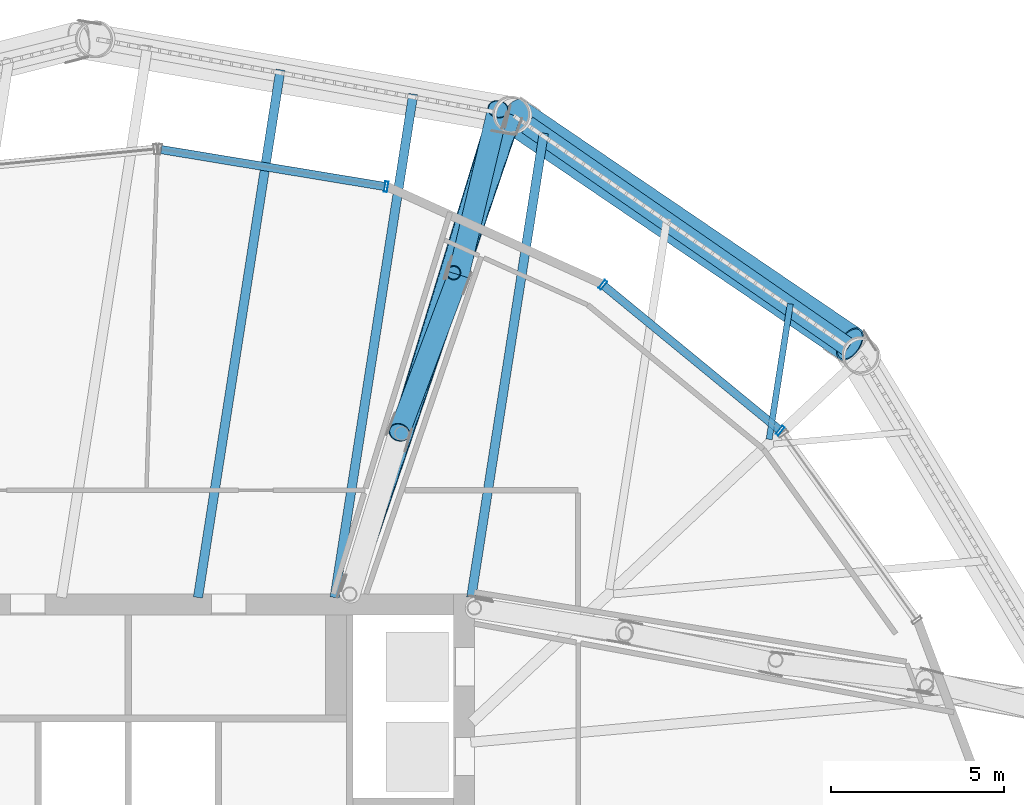
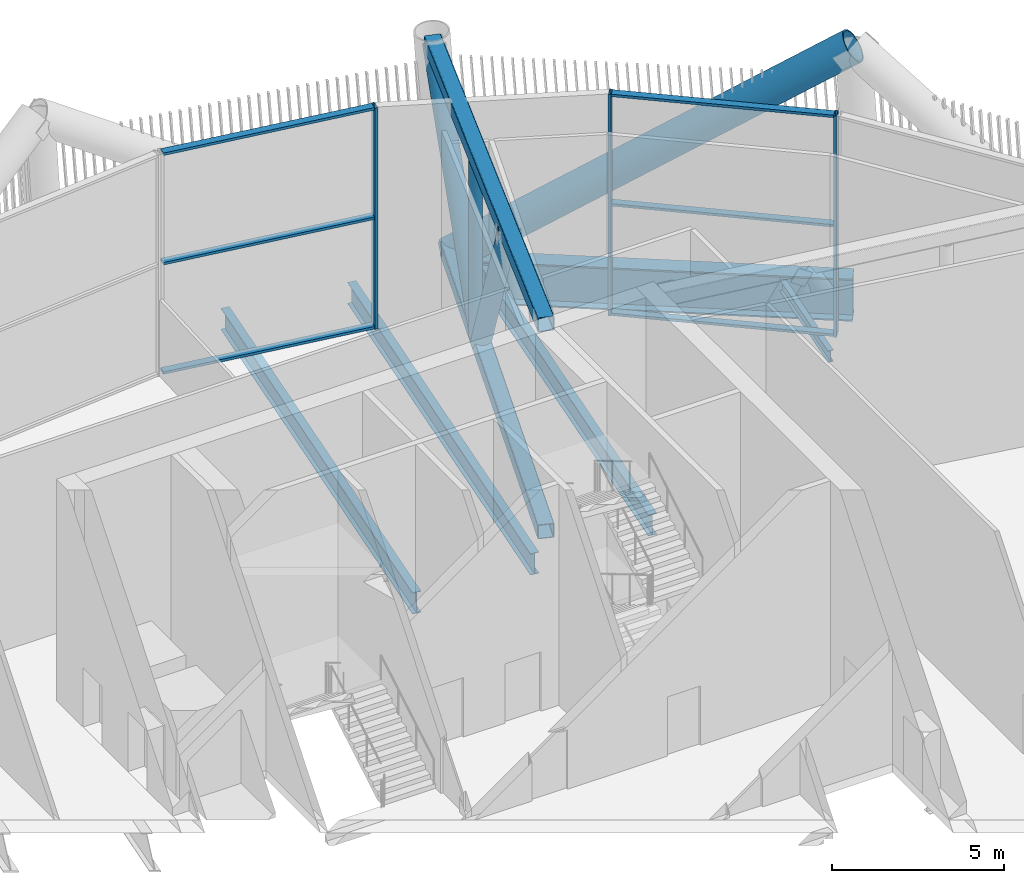
# One storey, part 25 of 55: 15 members, 5 beams, 2 elements without a shape of their own.
"""IFC4 building model written with IfcOpenShell, lengths in metres."""

import ifcopenshell
import ifcopenshell.guid

model = None  # the IFC model being written
_history = None  # IfcOwnerHistory: only IFC2X3 demands one
_inside = {}  # id of a spatial element -> (the spatial element, [elements in it])
_under = {}  # id of a project, library or spatial element -> (it, [spatial elements below it])
_declared = {}  # id of a project -> (the project, [libraries it declares])
_typed = {}  # id of a type object -> (the type object, [elements of that type])
_made_of = {}  # id of a material, layer set ... -> (it, [elements and type objects made of it])


def new_model(schema):
    """Start an empty IFC model of exactly this schema.

    Asked for "IFC4X3", IfcOpenShell would pick the latest addendum, in which some entities
    have other attributes; the version numbers below select the first issue.
    IFC2X3 requires an IfcOwnerHistory on every rooted entity: one is made here for all.
    """
    global model, _history
    if schema == "IFC4X3":
        model = ifcopenshell.file(schema_version=(4, 3, 0, 0))
    else:
        model = ifcopenshell.file(schema=schema)
    _inside.clear()
    _under.clear()
    _declared.clear()
    _typed.clear()
    _made_of.clear()
    _history = None
    if model.schema == "IFC2X3":
        org = make("IfcOrganization", Name="unknown")
        user = make(
            "IfcPersonAndOrganization",
            ThePerson=make("IfcPerson", FamilyName="unknown"),
            TheOrganization=org,
        )
        app = make(
            "IfcApplication",
            ApplicationDeveloper=org,
            Version="unknown",
            ApplicationFullName="unknown",
            ApplicationIdentifier="unknown",
        )
        _history = make(
            "IfcOwnerHistory",
            OwningUser=user,
            OwningApplication=app,
            ChangeAction="ADDED",
            CreationDate=0,
        )
    return model


def make(cls, **values):
    """One entity of the class cls with the attributes given. An attribute that is None is left unset."""
    return model.create_entity(
        cls, **{name: value for name, value in values.items() if value is not None}
    )


def rooted(cls, **values):
    """An entity with a GlobalId (a new one), such as an element, a storey or a relation."""
    return make(cls, GlobalId=ifcopenshell.guid.new(), OwnerHistory=_history, **values)


def si_unit(unit_type, name, prefix=None):
    """IfcSIUnit, for example si_unit("LENGTHUNIT", "METRE", prefix="MILLI")."""
    return make("IfcSIUnit", UnitType=unit_type, Prefix=prefix, Name=name)


def assignment(units):
    """IfcUnitAssignment: the units of a project."""
    return None if units is None else make("IfcUnitAssignment", Units=units)


def point(xyz):
    """IfcCartesianPoint."""
    return None if xyz is None else make("IfcCartesianPoint", Coordinates=xyz)


def direction(xyz):
    """IfcDirection."""
    return None if xyz is None else make("IfcDirection", DirectionRatios=xyz)


def frame(location, z_axis=None, x_axis=None):
    """IfcAxis2Placement3D, a coordinate frame: its origin and axes. An axis left out is left unset."""
    return make(
        "IfcAxis2Placement3D",
        Location=point(location),
        Axis=direction(z_axis),
        RefDirection=direction(x_axis),
    )


def frame_2d(location, x_axis=None):
    """IfcAxis2Placement2D, a coordinate frame in the plane: its origin and x axis."""
    return make(
        "IfcAxis2Placement2D", Location=point(location), RefDirection=direction(x_axis)
    )


def origin():
    """The frame at (0, 0, 0) with its axes left unset."""
    return frame((0.0, 0.0, 0.0))


def origin_2d():
    """The frame at (0, 0) in the plane with its x axis left unset."""
    return frame_2d((0.0, 0.0))


def place(relative_to, where):
    """IfcLocalPlacement: puts the frame where relative to a parent placement (None: the world)."""
    return make(
        "IfcLocalPlacement", PlacementRelTo=relative_to, RelativePlacement=where
    )


def context(
    kind, dimensions, precision=None, world=None, true_north=None, identifier=None
):
    """IfcGeometricRepresentationContext, for example the 3D "Model" context."""
    return make(
        "IfcGeometricRepresentationContext",
        ContextIdentifier=identifier,
        ContextType=kind,
        CoordinateSpaceDimension=dimensions,
        Precision=precision,
        WorldCoordinateSystem=world,
        TrueNorth=true_north,
    )


def subcontext(parent, identifier, kind, view, scale=None):
    """IfcGeometricRepresentationSubContext, for example "Body" below "Model"."""
    return make(
        "IfcGeometricRepresentationSubContext",
        ContextIdentifier=identifier,
        ContextType=kind,
        ParentContext=parent,
        TargetScale=scale,
        TargetView=view,
    )


def project(units=None, contexts=None):
    """IfcProject with its units and contexts."""
    return rooted(
        "IfcProject",
        Name="project",
        RepresentationContexts=contexts,
        UnitsInContext=assignment(units),
    )


def spatial(cls, under=None, at=None, **own):
    """A site, building, storey or space (cls), placed at a placement, below another one or the project."""
    s = rooted(cls, ObjectPlacement=at, **own)
    if under is not None:
        _under.setdefault(under.id(), (under, []))[1].append(s)
    return s


def profile(cls, at=None, kind="AREA", **sizes):
    """A parametric profile (cls). Its sizes go by their IFC names, for example OverallWidth=200.0."""
    return make(cls, ProfileType=kind, Position=at, **sizes)


def hollow_rectangle(**sizes):
    """IfcRectangleHollowProfileDef."""
    return profile("IfcRectangleHollowProfileDef", **sizes)


def hollow_circle(**sizes):
    """IfcCircleHollowProfileDef."""
    return profile("IfcCircleHollowProfileDef", **sizes)


def i_section(**sizes):
    """IfcIShapeProfileDef."""
    return profile("IfcIShapeProfileDef", **sizes)


def extrude(swept, where, along, depth):
    """IfcExtrudedAreaSolid: the profile swept, set in the frame where, extruded along a direction by depth."""
    return make(
        "IfcExtrudedAreaSolid",
        SweptArea=swept,
        Position=where,
        ExtrudedDirection=direction(along),
        Depth=depth,
    )


def shape(context_of_items, identifier, shape_type, items):
    """IfcShapeRepresentation: the items that make up one representation, for example the "Body"."""
    return make(
        "IfcShapeRepresentation",
        ContextOfItems=context_of_items,
        RepresentationIdentifier=identifier,
        RepresentationType=shape_type,
        Items=items,
    )


def material(Name=None, Category=None):
    """IfcMaterial."""
    return make("IfcMaterial", Name=Name, Category=Category)


def layer(
    of_material, thickness, ventilated=None, Name=None, Category=None, Priority=None
):
    """IfcMaterialLayer: one layer of a wall or slab, of a material (None: an air gap)."""
    return make(
        "IfcMaterialLayer",
        Material=of_material,
        LayerThickness=thickness,
        IsVentilated=ventilated,
        Name=Name,
        Category=Category,
        Priority=Priority,
    )


def layer_set(layers, Name=None):
    """IfcMaterialLayerSet."""
    return make("IfcMaterialLayerSet", MaterialLayers=layers, LayerSetName=Name)


def material_profile(
    of_material, cross_section, Name=None, Category=None, Priority=None
):
    """IfcMaterialProfile: a cross section and its material."""
    return make(
        "IfcMaterialProfile",
        Name=Name,
        Material=of_material,
        Profile=cross_section,
        Priority=Priority,
        Category=Category,
    )


def profile_set(profiles, Name=None, composite=None):
    """IfcMaterialProfileSet."""
    return make(
        "IfcMaterialProfileSet",
        Name=Name,
        MaterialProfiles=profiles,
        CompositeProfile=composite,
    )


def made_of(thing, what):
    """Note that an element or type object is made of a material, layer set ...; save() writes the relation."""
    if what is not None:
        _made_of.setdefault(what.id(), (what, []))[1].append(thing)
    return thing


def type_object(cls, material=None, **own):
    """A type object (cls), such as IfcWallType, which elements share."""
    return made_of(rooted(cls, **own), material)


def element(
    cls,
    number,
    at=None,
    inside=None,
    cuts=None,
    type_object=None,
    material=None,
    context=None,
    identifier="Body",
    shape_type=None,
    held_by="IfcProductDefinitionShape",
    body=None,
    shapes=None,
    **own,
):
    """One element of the class cls, such as IfcWall. Its Tag is "e" and its number.

    at: its placement. inside: the storey or other place that contains it. cuts: it is an
    opening in that element (IfcRelVoidsElement). A single representation is given by context,
    identifier, shape_type and body (its items); several are given by shapes. held_by: the class
    of the entity that holds the representations. save() writes the other relations.
    """
    e = rooted(cls, Tag="e%d" % number, ObjectPlacement=at, **own)
    if body is not None:
        shapes = [shape(context, identifier, shape_type, body)]
    if shapes is not None:
        e.Representation = make(held_by, Representations=shapes)
    if inside is not None:
        _inside.setdefault(inside.id(), (inside, []))[1].append(e)
    if cuts is not None:
        rooted(
            "IfcRelVoidsElement", RelatingBuildingElement=cuts, RelatedOpeningElement=e
        )
    if type_object is not None:
        _typed.setdefault(type_object.id(), (type_object, []))[1].append(e)
    return made_of(e, material)


def aggregate(whole, parts):
    """IfcRelAggregates: a whole, such as a stair, and the parts it consists of."""
    return rooted("IfcRelAggregates", RelatingObject=whole, RelatedObjects=parts)


def save(model, path):
    """Write the relations noted so far, then the file.

    IfcRelAggregates (storeys below a building ...), IfcRelContainedInSpatialStructure (elements
    in a storey), IfcRelDefinesByType, IfcRelAssociatesMaterial and IfcRelDeclares: one each for
    every whole, place, type object, material and project.
    """
    for whole, parts in _under.values():
        aggregate(whole, parts)
    for where, things in _inside.values():
        rooted(
            "IfcRelContainedInSpatialStructure",
            RelatedElements=things,
            RelatingStructure=where,
        )
    for kind, things in _typed.values():
        rooted("IfcRelDefinesByType", RelatedObjects=things, RelatingType=kind)
    for what, things in _made_of.values():
        rooted("IfcRelAssociatesMaterial", RelatedObjects=things, RelatingMaterial=what)
    for by, libraries in _declared.values():
        rooted("IfcRelDeclares", RelatingContext=by, RelatedDefinitions=libraries)
    model.write(path)


model = new_model("IFC4")

# Units and contexts
model_context = context("Model", 3, precision=1e-05, world=origin(), true_north=direction((0.0, 1.0)))
body_context = subcontext(model_context, "Body", "Model", "MODEL_VIEW")
ifc_project = project(units=[si_unit("LENGTHUNIT", "METRE"), si_unit("AREAUNIT", "SQUARE_METRE"), si_unit("VOLUMEUNIT", "CUBIC_METRE"), si_unit("PLANEANGLEUNIT", "RADIAN"), si_unit("MASSUNIT", "GRAM", prefix="KILO")], contexts=[model_context])

# Site, building, storey
site_placement = place(None, origin())
site = spatial("IfcSite", under=ifc_project, at=site_placement, CompositionType="ELEMENT")
building_placement = place(site_placement, origin())
building = spatial("IfcBuilding", under=site, at=building_placement, Name="Tarsis Ring Headquarters", CompositionType="ELEMENT")
storey_placement = place(building_placement, frame((0.0, 0.0, 247.199951171875)))
storey = spatial("IfcBuildingStorey", under=building, at=storey_placement, Name="L58", CompositionType="ELEMENT", Elevation=247.199951171875)

# Curtain wall, members
ifc_material_1 = material(Name="Aluminium curtain wall", Category="aluminium")
ifc_layer = layer(ifc_material_1, 0.300048828125)
ifc_layer_set = layer_set([ifc_layer], Name="Curtain wall upper sky lobby")
curtain_wall_type = type_object("IfcCurtainWallType", Name="Curtain wall upper sky lobby", PredefinedType="NOTDEFINED", material=ifc_layer_set)
curtain_wall_1_placement = place(storey_placement, origin())
curtain_wall_1 = element("IfcCurtainWall", 1, at=curtain_wall_1_placement, inside=storey, type_object=curtain_wall_type, Name="Curtain wall L58-24", PredefinedType="NOTDEFINED")
ifc_material_2 = material(Name="Aluminium mullion", Category="aluminium")
ifc_material_profile_1 = material_profile(ifc_material_2, hollow_rectangle(XDim=0.300048828125, YDim=0.090087890625, WallThickness=0.0048828125, at=origin_2d()), Name="RHS 300x90x5")
ifc_profile_set_1 = profile_set([ifc_material_profile_1], Name="Aluminium mullion")
member_type_1 = type_object("IfcMemberType", Name="Curtain wall mullion upper sky lobby RHS 300x90x5", PredefinedType="MULLION", material=ifc_profile_set_1)
member_1_placement = place(storey_placement, frame((18.83837890625, 17.724609375, 0.0), z_axis=(0.0, 0.0, 1.0), x_axis=(-0.634460710658, -0.772955112947, 0.0)))
member_1 = element("IfcMember", 2, at=member_1_placement, type_object=member_type_1, Name="CW-U mullion 1", PredefinedType="MULLION", context=body_context, shape_type="SweptSolid", body=[
    extrude(hollow_rectangle(XDim=0.300048828125, YDim=0.090087890625, WallThickness=0.0048828125, at=origin_2d()), origin(), (0.0, 0.0, 1.0), 7.840087890625),
])
member_2_placement = place(storey_placement, frame((13.712646484375, 21.931884765625, 0.0), z_axis=(0.0, 0.0, 1.0), x_axis=(-0.634460710658, -0.772955112947, 0.0)))
member_2 = element("IfcMember", 3, at=member_2_placement, type_object=member_type_1, Name="CW-U mullion 2", PredefinedType="MULLION", context=body_context, shape_type="SweptSolid", body=[
    extrude(hollow_rectangle(XDim=0.300048828125, YDim=0.090087890625, WallThickness=0.0048828125, at=origin_2d()), origin(), (0.0, 0.0, 1.0), 7.840087890625),
])

# Curtain wall, member
curtain_wall_2_placement = place(storey_placement, origin())
curtain_wall_2 = element("IfcCurtainWall", 4, at=curtain_wall_2_placement, inside=storey, type_object=curtain_wall_type, Name="Curtain wall L58-26", PredefinedType="NOTDEFINED")
member_3_placement = place(storey_placement, frame((7.452392578125, 24.76904296875, 0.0), z_axis=(0.0, 0.0, 1.0), x_axis=(-0.162981380647, -0.986629144898, 0.0)))
member_3 = element("IfcMember", 5, at=member_3_placement, type_object=member_type_1, Name="CW-U mullion 1", PredefinedType="MULLION", context=body_context, shape_type="SweptSolid", body=[
    extrude(hollow_rectangle(XDim=0.300048828125, YDim=0.090087890625, WallThickness=0.0048828125, at=origin_2d()), origin(), (0.0, 0.0, 1.0), 7.840087890625),
])

# Member
ifc_material_3 = material(Name="Aluminium transom", Category="aluminium")
ifc_material_profile_2 = material_profile(ifc_material_3, hollow_rectangle(XDim=0.239990234375, YDim=0.090087890625, WallThickness=0.0048828125, at=origin_2d()), Name="RHS 240x90x5")
ifc_profile_set_2 = profile_set([ifc_material_profile_2], Name="Aluminium transom")
member_type_2 = type_object("IfcMemberType", Name="Curtain wall transom upper sky lobby RHS 240x90x5", PredefinedType="USERDEFINED", material=ifc_profile_set_2)
member_4_placement = place(storey_placement, frame((18.8037109375, 17.753173828125, 0.045166015625), z_axis=(-0.772956980212, 0.634458435788, 0.0), x_axis=(-0.634458435788, -0.772956980212, 0.0)))
member_4 = element("IfcMember", 6, at=member_4_placement, type_object=member_type_2, Name="CW-U transom 1.1", ObjectType="TRANSOM", PredefinedType="USERDEFINED", context=body_context, shape_type="SweptSolid", body=[
    extrude(hollow_rectangle(XDim=0.239990234375, YDim=0.090087890625, WallThickness=0.0048828125, at=origin_2d()), origin(), (0.0, 0.0, 1.0), 6.541748046875),
])

member_5_placement = place(storey_placement, frame((18.8037109375, 17.753173828125, 3.920166015625), z_axis=(-0.772956980212, 0.634458435788, 0.0), x_axis=(-0.634458435788, -0.772956980212, 0.0)))
member_5 = element("IfcMember", 7, at=member_5_placement, type_object=member_type_2, Name="CW-U transom 1.2", ObjectType="TRANSOM", PredefinedType="USERDEFINED", context=body_context, shape_type="SweptSolid", body=[
    extrude(hollow_rectangle(XDim=0.239990234375, YDim=0.090087890625, WallThickness=0.0048828125, at=origin_2d()), origin(), (0.0, 0.0, 1.0), 6.541748046875),
])

member_6_placement = place(storey_placement, frame((18.8037109375, 17.753173828125, 7.795166015625), z_axis=(-0.772956980212, 0.634458435788, 0.0), x_axis=(-0.634458435788, -0.772956980212, 0.0)))
member_6 = element("IfcMember", 8, at=member_6_placement, type_object=member_type_2, Name="CW-U transom 1.3", ObjectType="TRANSOM", PredefinedType="USERDEFINED", context=body_context, shape_type="SweptSolid", body=[
    extrude(hollow_rectangle(XDim=0.239990234375, YDim=0.090087890625, WallThickness=0.0048828125, at=origin_2d()), origin(), (0.0, 0.0, 1.0), 6.541748046875),
])

aggregate(curtain_wall_1, [member_1, member_2, member_4, member_5, member_6])

member_7_placement = place(storey_placement, frame((7.407958984375, 24.776611328125, 0.045166015625), z_axis=(-0.986634940706, 0.162946291085, 0.0), x_axis=(-0.162946291085, -0.986634940706, 0.0)))
member_7 = element("IfcMember", 9, at=member_7_placement, type_object=member_type_2, Name="CW-U transom 1.1", ObjectType="TRANSOM", PredefinedType="USERDEFINED", context=body_context, shape_type="SweptSolid", body=[
    extrude(hollow_rectangle(XDim=0.239990234375, YDim=0.090087890625, WallThickness=0.0048828125, at=origin_2d()), origin(), (0.0, 0.0, 1.0), 6.54150390625),
])

member_8_placement = place(storey_placement, frame((7.407958984375, 24.776611328125, 3.920166015625), z_axis=(-0.986634940706, 0.162946291085, 0.0), x_axis=(-0.162946291085, -0.986634940706, 0.0)))
member_8 = element("IfcMember", 10, at=member_8_placement, type_object=member_type_2, Name="CW-U transom 1.2", ObjectType="TRANSOM", PredefinedType="USERDEFINED", context=body_context, shape_type="SweptSolid", body=[
    extrude(hollow_rectangle(XDim=0.239990234375, YDim=0.090087890625, WallThickness=0.0048828125, at=origin_2d()), origin(), (0.0, 0.0, 1.0), 6.54150390625),
])

member_9_placement = place(storey_placement, frame((7.407958984375, 24.776611328125, 7.795166015625), z_axis=(-0.986634940706, 0.162946291085, 0.0), x_axis=(-0.162946291085, -0.986634940706, 0.0)))
member_9 = element("IfcMember", 11, at=member_9_placement, type_object=member_type_2, Name="CW-U transom 1.3", ObjectType="TRANSOM", PredefinedType="USERDEFINED", context=body_context, shape_type="SweptSolid", body=[
    extrude(hollow_rectangle(XDim=0.239990234375, YDim=0.090087890625, WallThickness=0.0048828125, at=origin_2d()), origin(), (0.0, 0.0, 1.0), 6.54150390625),
])

aggregate(curtain_wall_2, [member_3, member_7, member_8, member_9])

# Beams
ifc_material_4 = material(Name="Structural steel S355", Category="steel")
ifc_material_profile_3 = material_profile(ifc_material_4, i_section(OverallWidth=0.177734375, OverallDepth=0.406494140625, WebThickness=0.0078125, FlangeThickness=0.0126953125, at=origin_2d()), Name="W16x40")
ifc_profile_set_3 = profile_set([ifc_material_profile_3], Name="Structural steel S355")
beam_type_1 = type_object("IfcBeamType", Name="FB Floor beam W16x40", PredefinedType="JOIST", material=ifc_profile_set_3)
beam_1_placement = place(storey_placement, frame((19.130126953125, 21.3828125, -0.503173828125), z_axis=(-0.154405084789, -0.988007626383, 0.0), x_axis=(0.988007626383, -0.154405084789, 0.0)))
element("IfcBeam", 12, at=beam_1_placement, inside=storey, type_object=beam_type_1, Name="Floor beam FB1", PredefinedType="JOIST", context=body_context, shape_type="SweptSolid", body=[
    extrude(i_section(OverallWidth=0.177734375, OverallDepth=0.406494140625, WebThickness=0.0078125, FlangeThickness=0.0126953125, at=origin_2d()), origin(), (0.0, 0.0, 1.0), 3.9609375),
])
ifc_material_profile_4 = material_profile(ifc_material_4, i_section(OverallWidth=0.2666015625, OverallDepth=0.7568359375, WebThickness=0.013916015625, FlangeThickness=0.019287109375, at=origin_2d()), Name="W30x108")
ifc_profile_set_4 = profile_set([ifc_material_profile_4], Name="Structural steel S355")
beam_type_2 = type_object("IfcBeamType", Name="FB Floor beam W30x108", PredefinedType="JOIST", material=ifc_profile_set_4)
beam_2_placement = place(storey_placement, frame((12.00634765625, 26.317138671875, -0.678466796875), z_axis=(-0.154354941342, -0.98801546146, 0.0), x_axis=(0.98801546146, -0.154354941342, 0.0)))
element("IfcBeam", 13, at=beam_2_placement, inside=storey, type_object=beam_type_2, Name="Floor beam FB6", PredefinedType="JOIST", context=body_context, shape_type="SweptSolid", body=[
    extrude(i_section(OverallWidth=0.2666015625, OverallDepth=0.7568359375, WebThickness=0.013916015625, FlangeThickness=0.019287109375, at=origin_2d()), origin(), (0.0, 0.0, 1.0), 13.578857421875),
])
beam_3_placement = place(storey_placement, frame((8.235595703125, 27.446533203125, -0.678466796875), z_axis=(-0.154375868506, -0.988012191839, 0.0), x_axis=(0.988012191839, -0.154375868506, 0.0)))
element("IfcBeam", 14, at=beam_3_placement, inside=storey, type_object=beam_type_2, Name="Floor beam FB6", PredefinedType="JOIST", context=body_context, shape_type="SweptSolid", body=[
    extrude(i_section(OverallWidth=0.2666015625, OverallDepth=0.7568359375, WebThickness=0.013916015625, FlangeThickness=0.019287109375, at=origin_2d()), origin(), (0.0, 0.0, 1.0), 14.721923828125),
])
beam_4_placement = place(storey_placement, frame((4.39794921875, 28.148681640625, -0.678466796875), z_axis=(-0.154370124032, -0.98801308939, 0.0), x_axis=(0.98801308939, -0.154370124032, 0.0)))
element("IfcBeam", 15, at=beam_4_placement, inside=storey, type_object=beam_type_2, Name="Floor beam FB6", PredefinedType="JOIST", context=body_context, shape_type="SweptSolid", body=[
    extrude(i_section(OverallWidth=0.2666015625, OverallDepth=0.7568359375, WebThickness=0.013916015625, FlangeThickness=0.019287109375, at=origin_2d()), origin(), (0.0, 0.0, 1.0), 15.4326171875),
])

# Members
ifc_material_profile_5 = material_profile(ifc_material_4, hollow_rectangle(XDim=0.508056640625, YDim=0.508056640625, WallThickness=0.025390625, InnerFilletRadius=0.025390625, OuterFilletRadius=0.05078125, at=origin_2d()), Name="HSS 508x508x25")
ifc_profile_set_5 = profile_set([ifc_material_profile_5], Name="Structural steel S355")
member_type_3 = type_object("IfcMemberType", Name="OC Outrigger chord HSS 508x508x25", PredefinedType="CHORD", material=ifc_profile_set_5)
member_10_placement = place(storey_placement, frame((6.39990234375, 13.0, 0.254150390625), z_axis=(0.322818439157, 0.946460910624, 0.0), x_axis=(-0.946460910624, 0.322818439157, 0.0)))
element("IfcMember", 16, at=member_10_placement, inside=storey, type_object=member_type_3, Name="Outrigger chord OC1", PredefinedType="CHORD", context=body_context, shape_type="SweptSolid", body=[
    extrude(hollow_rectangle(XDim=0.508056640625, YDim=0.508056640625, WallThickness=0.025390625, InnerFilletRadius=0.025390625, OuterFilletRadius=0.05078125, at=origin_2d()), origin(), (0.0, 0.0, 1.0), 14.618896484375),
])
member_11_placement = place(storey_placement, frame((6.39990234375, 13.0, 7.5859375), z_axis=(0.292676962065, 0.956211376149, 0.0), x_axis=(-0.956211376149, 0.292676962065, 0.0)))
element("IfcMember", 17, at=member_11_placement, inside=storey, type_object=member_type_3, Name="Outrigger chord OC1", PredefinedType="CHORD", context=body_context, shape_type="SweptSolid", body=[
    extrude(hollow_rectangle(XDim=0.508056640625, YDim=0.508056640625, WallThickness=0.025390625, InnerFilletRadius=0.025390625, OuterFilletRadius=0.05078125, at=origin_2d()), origin(), (0.0, 0.0, 1.0), 14.652099609375),
])
ifc_material_profile_6 = material_profile(ifc_material_4, hollow_circle(Radius=0.3046875, WallThickness=0.02490234375, at=origin_2d()), Name="CHS 610x25")
ifc_profile_set_6 = profile_set([ifc_material_profile_6], Name="Structural steel S355")
member_type_4 = type_object("IfcMemberType", Name="OD Outrigger diagonal CHS 610x25", PredefinedType="BRACE", material=ifc_profile_set_6)
member_12_placement = place(storey_placement, frame((7.829345703125, 17.670166015625, 7.5859375), z_axis=(0.19506260624, 0.517494352753, -0.833156752668), x_axis=(-0.935732031605, 0.352711730779, 0.0)))
element("IfcMember", 18, at=member_12_placement, inside=storey, type_object=member_type_4, Name="Outrigger diagonal OD1", PredefinedType="BRACE", context=body_context, shape_type="SweptSolid", body=[
    extrude(hollow_circle(Radius=0.3046875, WallThickness=0.02490234375, at=origin_2d()), origin(), (0.0, 0.0, 1.0), 8.800048828125),
])
member_13_placement = place(storey_placement, frame((9.5458984375, 22.22412109375, 0.254150390625), z_axis=(0.129369204564, 0.542056690634, 0.830324125296), x_axis=(-0.972681506784, 0.232143676115, 0.0)))
element("IfcMember", 19, at=member_13_placement, inside=storey, type_object=member_type_4, Name="Outrigger diagonal OD1", PredefinedType="BRACE", context=body_context, shape_type="SweptSolid", body=[
    extrude(hollow_circle(Radius=0.3046875, WallThickness=0.02490234375, at=origin_2d()), origin(), (0.0, 0.0, 1.0), 8.830078125),
])
ifc_material_profile_7 = material_profile(ifc_material_4, hollow_circle(Radius=0.203125, WallThickness=0.01611328125, at=origin_2d()), Name="CHS 406x16")
ifc_profile_set_7 = profile_set([ifc_material_profile_7], Name="Structural steel S355")
member_type_5 = type_object("IfcMemberType", Name="OV Outrigger post CHS 406x16", PredefinedType="STRUT", material=ifc_profile_set_7)
member_14_placement = place(storey_placement, frame((9.40234375, 22.2822265625, 0.508056640625), z_axis=(0.0, 0.0, 1.0), x_axis=(1.0, 0.0, 0.0)))
element("IfcMember", 20, at=member_14_placement, inside=storey, type_object=member_type_5, Name="Outrigger post OV1", PredefinedType="STRUT", context=body_context, shape_type="SweptSolid", body=[
    extrude(hollow_circle(Radius=0.203125, WallThickness=0.01611328125, at=origin_2d()), origin(), (0.0, 0.0, 1.0), 6.823974609375),
])
ifc_material_profile_8 = material_profile(ifc_material_4, hollow_circle(Radius=0.533447265625, WallThickness=0.044921875, at=origin_2d()), Name="CHS 1067x45")
ifc_profile_set_8 = profile_set([ifc_material_profile_8], Name="Structural steel S355")
member_type_6 = type_object("IfcMemberType", Name="TD Belt truss diagonal CHS 1067x45", PredefinedType="BRACE", material=ifc_profile_set_8)
member_15_placement = place(storey_placement, frame((11.134033203125, 26.830078125, 0.0), z_axis=(0.683641144385, -0.464764702539, 0.562697571505), x_axis=(0.562217971797, 0.826989088313, 0.0)))
element("IfcMember", 21, at=member_15_placement, inside=storey, type_object=member_type_6, Name="Belt truss diagonal TD5", PredefinedType="BRACE", context=body_context, shape_type="SweptSolid", body=[
    extrude(hollow_circle(Radius=0.533447265625, WallThickness=0.044921875, at=origin_2d()), origin(), (0.0, 0.0, 1.0), 14.21728515625),
])

# Beam
ifc_material_profile_9 = material_profile(ifc_material_4, i_section(OverallWidth=0.550048828125, OverallDepth=1.5, WebThickness=0.030029296875, FlangeThickness=0.050048828125, at=origin_2d()), Name="PG 1500x550x30x50")
ifc_profile_set_9 = profile_set([ifc_material_profile_9], Name="Structural steel S355")
beam_type_3 = type_object("IfcBeamType", Name="XG Ring girder PG 1500x550x30x50", PredefinedType="BEAM", material=ifc_profile_set_9)
beam_5_placement = place(storey_placement, frame((20.80859375, 20.12890625, -0.75), z_axis=(-0.822063706354, 0.569395523951, 0.0), x_axis=(-0.569395523951, -0.822063706354, 0.0)))
element("IfcBeam", 22, at=beam_5_placement, inside=storey, type_object=beam_type_3, Name="Ring girder XG6", PredefinedType="BEAM", context=body_context, shape_type="SweptSolid", body=[
    extrude(i_section(OverallWidth=0.550048828125, OverallDepth=1.5, WebThickness=0.030029296875, FlangeThickness=0.050048828125, at=origin_2d()), origin(), (0.0, 0.0, 1.0), 11.288818359375),
])

save(model, "model.ifc")
